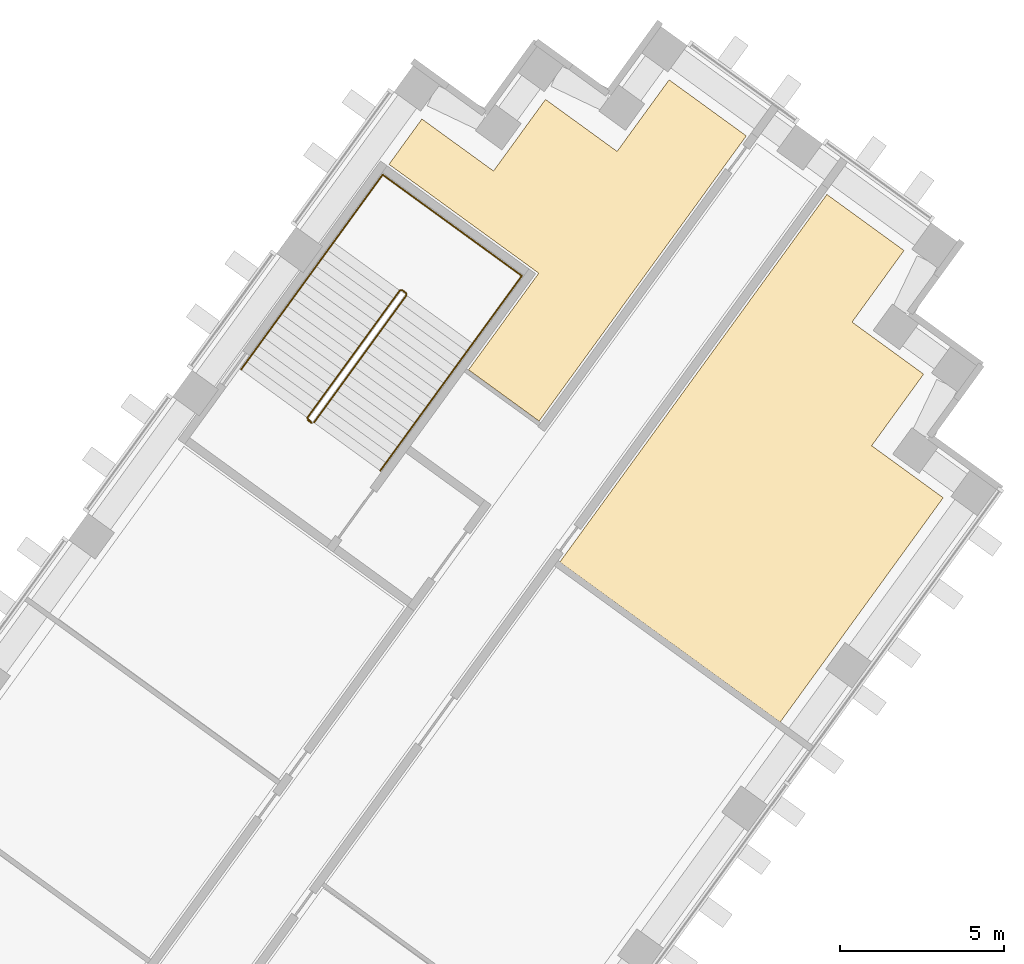
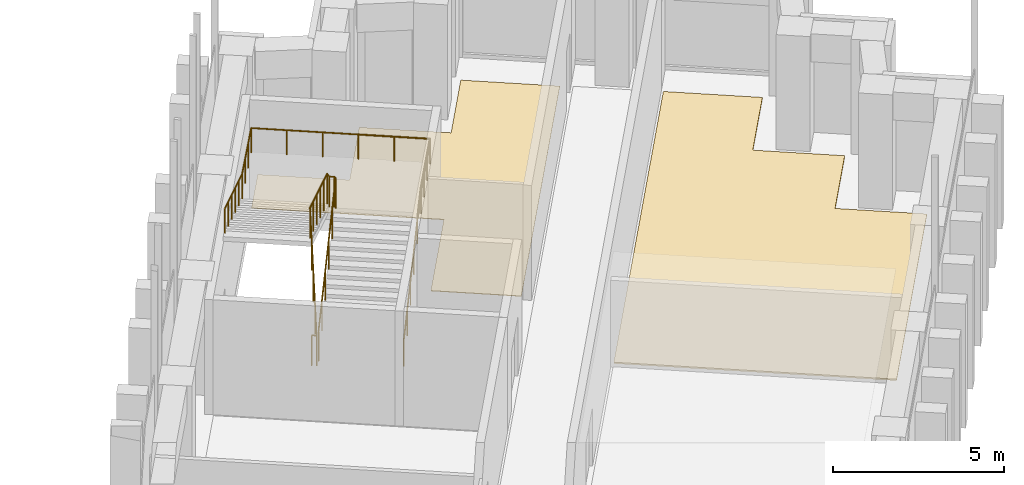
# One storey, part 18 of 18: 2 coverings, 2 railings.
"""IFC4 building model written with IfcOpenShell, lengths in metres."""

from ifc_helpers import new_model, si_unit, direction, frame, origin, origin_2d, place, context, subcontext, project, spatial, polyline, circle, outline, extrude, material, layer, layer_set, type_object, element, save


model = new_model("IFC4")

# Units and contexts
model_context = context("Model", 3, precision=1e-05, world=origin(), true_north=direction((0.0, 1.0)))
body_context = subcontext(model_context, "Body", "Model", "MODEL_VIEW")
ifc_project = project(units=[si_unit("LENGTHUNIT", "METRE"), si_unit("AREAUNIT", "SQUARE_METRE"), si_unit("VOLUMEUNIT", "CUBIC_METRE"), si_unit("PLANEANGLEUNIT", "RADIAN"), si_unit("MASSUNIT", "GRAM", prefix="KILO")], contexts=[model_context])

# Site, building, storey
site_placement = place(None, origin())
site = spatial("IfcSite", under=ifc_project, at=site_placement, CompositionType="ELEMENT")
building_placement = place(site_placement, origin())
building = spatial("IfcBuilding", under=site, at=building_placement, Name="Quipu Civic Tower", CompositionType="ELEMENT")
storey_placement = place(building_placement, frame((0.0, 0.0, 16.0)))
storey = spatial("IfcBuildingStorey", under=building, at=storey_placement, Name="L03", CompositionType="ELEMENT", Elevation=16.0)

# Coverings
ifc_material_1 = material(Name="Carpet tile on raised access floor")
ifc_layer_1 = layer(ifc_material_1, 0.02001953125)
ifc_layer_set_1 = layer_set([ifc_layer_1], Name="Carpet tile on raised access floor")
covering_type_1 = type_object("IfcCoveringType", Name="Carpet tile floor finish 20", PredefinedType="FLOORING", material=ifc_layer_set_1)
covering_1_placement = place(storey_placement, origin())
element("IfcCovering", 1, at=covering_1_placement, inside=storey, type_object=covering_type_1, Name="Carpet tile floor finish 20", PredefinedType="FLOORING", context=body_context, shape_type="SweptSolid", body=[
    extrude(outline(polyline([(36.570068359375, 39.530029296875), (37.574951171875, 40.9130859375), (39.760009765625, 39.326904296875), (41.345947265625, 41.510986328125), (43.530029296875, 39.924072265625), (45.116943359375, 42.10791015625), (47.471923828125, 40.39794921875), (41.15087890625, 31.697021484375), (38.998046875, 33.260009765625), (41.139892578125, 36.208984375), (36.570068359375, 39.530029296875)])), origin(), (0.0, 0.0, 1.0), 0.02001953125),
])
ifc_material_2 = material(Name="Sealed cement screed")
ifc_layer_2 = layer(ifc_material_2, 0.050048828125)
ifc_layer_set_2 = layer_set([ifc_layer_2], Name="Sealed cement screed")
covering_type_2 = type_object("IfcCoveringType", Name="Sealed screed floor finish 50", PredefinedType="FLOORING", material=ifc_layer_set_2)
covering_2_placement = place(storey_placement, origin())
element("IfcCovering", 2, at=covering_2_placement, inside=storey, type_object=covering_type_2, Name="Sealed screed floor finish 50", PredefinedType="FLOORING", context=body_context, shape_type="SweptSolid", body=[
    extrude(outline(polyline([(41.781982421875, 27.39404296875), (49.930908203125, 38.611083984375), (52.284912109375, 36.90087890625), (50.698974609375, 34.717041015625), (52.883056640625, 33.12890625), (51.297119140625, 30.945068359375), (53.47998046875, 29.35791015625), (48.5048828125, 22.510009765625), (41.781982421875, 27.39404296875)])), origin(), (0.0, 0.0, 1.0), 0.050048828125),
])

# Railings
ifc_material_3 = material(Name="Stainless steel", Category="steel")
railing_type_1 = type_object("IfcRailingType", Name="Stair guard 1100", PredefinedType="GUARDRAIL", material=ifc_material_3)
railing_1_placement = place(storey_placement, frame((34.28125, 31.650390625, 0.13232421875)))
element("IfcRailing", 3, at=railing_1_placement, inside=storey, type_object=railing_type_1, Name="Stair 7 guard", PredefinedType="GUARDRAIL", context=body_context, shape_type="SweptSolid", body=[
    extrude(circle(Radius=0.02392578125, at=origin_2d()), frame((0.0, 0.0, 1.076171875), z_axis=(0.537761686143, 0.740190150552, 0.403647011561), x_axis=(-0.809026317077, 0.587772420479, 0.0)), (0.0, 0.0, 1.0), 5.246337890625),
    extrude(circle(Radius=0.02392578125, at=origin_2d()), frame((2.8212890625, 3.88330078125, 3.19384765625), z_axis=(-0.155430446612, 0.987846838465, 0.0), x_axis=(-0.987846838465, -0.155430446612, 0.0)), (0.0, 0.0, 1.0), 0.07080078125),
    extrude(circle(Radius=0.02392578125, at=origin_2d()), frame((2.810302734375, 3.953125, 3.19384765625), z_axis=(-0.809649071907, 0.586914287065, 0.0), x_axis=(-0.586914287065, -0.809649071907, 0.0)), (0.0, 0.0, 1.0), 0.150146484375),
    extrude(circle(Radius=0.02392578125, at=origin_2d()), frame((2.688720703125, 4.041259765625, 3.19384765625), z_axis=(-0.465434601444, -0.07323271701, 0.882047391549), x_axis=(0.155430446612, -0.987846838465, 0.0)), (0.0, 0.0, 1.0), 0.14990234375),
    extrude(circle(Radius=0.02392578125, at=origin_2d()), frame((2.618896484375, 4.0302734375, 3.326171875), z_axis=(-0.537761686143, -0.740190150552, 0.403647011561), x_axis=(0.809026317077, -0.587772420479, 0.0)), (0.0, 0.0, 1.0), 5.246337890625),
    extrude(circle(Radius=0.02392578125, at=origin_2d()), frame((-0.202392578125, 0.14697265625, 5.44384765625), z_axis=(0.029374601348, -0.035065252901, -0.998953232556), x_axis=(0.766567769536, 0.642163417448, 0.0)), (0.0, 0.0, 1.0), 4.504638671875),
    extrude(circle(Radius=0.02392578125, at=origin_2d()), frame((-0.070068359375, -0.010986328125, 0.94384765625), z_axis=(-0.809087927272, 0.587687609145, 0.0), x_axis=(-0.587687609145, -0.809087927272, 0.0)), (0.0, 0.0, 1.0), 0.14990234375),
    extrude(circle(Radius=0.02099609375, at=origin_2d()), origin(), (0.0, 0.0, 1.0), 1.052001953125),
    extrude(circle(Radius=0.02099609375, at=origin_2d()), frame((0.564208984375, 0.776611328125, 0.423583984375)), (0.0, 0.0, 1.0), 1.052001953125),
    extrude(circle(Radius=0.02099609375, at=origin_2d()), frame((1.12841796875, 1.55322265625, 0.84716796875)), (0.0, 0.0, 1.0), 1.052001953125),
    extrude(circle(Radius=0.02099609375, at=origin_2d()), frame((1.69287109375, 2.330078125, 1.2705078125)), (0.0, 0.0, 1.0), 1.052001953125),
    extrude(circle(Radius=0.02099609375, at=origin_2d()), frame((2.257080078125, 3.106689453125, 1.694091796875)), (0.0, 0.0, 1.0), 1.052001953125),
    extrude(circle(Radius=0.02099609375, at=origin_2d()), frame((2.8212890625, 3.88330078125, 2.11767578125)), (0.0, 0.0, 1.0), 1.052001953125),
    extrude(circle(Radius=0.02099609375, at=origin_2d()), frame((2.810302734375, 3.953125, 2.11767578125)), (0.0, 0.0, 1.0), 1.052001953125),
    extrude(circle(Radius=0.02099609375, at=origin_2d()), frame((2.688720703125, 4.041259765625, 2.11767578125)), (0.0, 0.0, 1.0), 1.052001953125),
    extrude(circle(Radius=0.02099609375, at=origin_2d()), frame((2.618896484375, 4.0302734375, 2.25)), (0.0, 0.0, 1.0), 1.052001953125),
    extrude(circle(Radius=0.02099609375, at=origin_2d()), frame((2.0546875, 3.253662109375, 2.673583984375)), (0.0, 0.0, 1.0), 1.052001953125),
    extrude(circle(Radius=0.02099609375, at=origin_2d()), frame((1.490478515625, 2.47705078125, 3.09716796875)), (0.0, 0.0, 1.0), 1.052001953125),
    extrude(circle(Radius=0.02099609375, at=origin_2d()), frame((0.926025390625, 1.7001953125, 3.5205078125)), (0.0, 0.0, 1.0), 1.052001953125),
    extrude(circle(Radius=0.02099609375, at=origin_2d()), frame((0.36181640625, 0.923583984375, 3.944091796875)), (0.0, 0.0, 1.0), 1.052001953125),
    extrude(circle(Radius=0.02099609375, at=origin_2d()), frame((-0.202392578125, 0.14697265625, 4.36767578125)), (0.0, 0.0, 1.0), 1.052001953125),
    extrude(circle(Radius=0.02099609375, at=origin_2d()), frame((-0.16943359375, 0.107421875, 3.24267578125)), (0.0, 0.0, 1.0), 1.052001953125),
    extrude(circle(Radius=0.02099609375, at=origin_2d()), frame((-0.13623046875, 0.06787109375, 2.11767578125)), (0.0, 0.0, 1.0), 1.052001953125),
    extrude(circle(Radius=0.02099609375, at=origin_2d()), frame((-0.10302734375, 0.028564453125, 0.99267578125)), (0.0, 0.0, 1.0), 1.052001953125),
    extrude(circle(Radius=0.02099609375, at=origin_2d()), frame((-0.070068359375, -0.010986328125, -0.13232421875)), (0.0, 0.0, 1.0), 1.052001953125),
    extrude(circle(Radius=0.02099609375, at=origin_2d()), frame((-0.19140625, 0.0771484375, -0.13232421875)), (0.0, 0.0, 1.0), 1.052001953125),
])
ifc_material_4 = material(Name="Stainless steel", Category="steel")
railing_type_2 = type_object("IfcRailingType", Name="Stair handrail", PredefinedType="HANDRAIL", material=ifc_material_4)
railing_2_placement = place(storey_placement, frame((36.3037109375, 30.180908203125, 0.13232421875)))
element("IfcRailing", 4, at=railing_2_placement, inside=storey, type_object=railing_type_2, Name="Stair 7 handrail", PredefinedType="HANDRAIL", context=body_context, shape_type="SweptSolid", body=[
    extrude(circle(Radius=0.02392578125, at=origin_2d()), frame((0.0, 0.0, 0.8759765625), z_axis=(0.537761686143, 0.740190150552, 0.403647011561), x_axis=(-0.809026317077, 0.587772420479, 0.0)), (0.0, 0.0, 1.0), 5.246337890625),
    extrude(circle(Radius=0.02392578125, at=origin_2d()), frame((2.8212890625, 3.88330078125, 2.99365234375), z_axis=(0.587767432704, 0.809029940764, 0.0), x_axis=(-0.809029940764, 0.587767432704, 0.0)), (0.0, 0.0, 1.0), 2.550048828125),
    extrude(circle(Radius=0.02392578125, at=origin_2d()), frame((4.320068359375, 5.9462890625, 2.99365234375), z_axis=(-0.809009483706, 0.587795589702, 0.0), x_axis=(-0.587795589702, -0.809009483706, 0.0)), (0.0, 0.0, 1.0), 5.25),
    extrude(circle(Radius=0.02392578125, at=origin_2d()), frame((0.07275390625, 9.0322265625, 2.99365234375), z_axis=(-0.586977638712, -0.807942832239, 0.051823078707), x_axis=(0.809029940764, -0.587767432704, 0.0)), (0.0, 0.0, 1.0), 2.553466796875),
    extrude(circle(Radius=0.02392578125, at=origin_2d()), frame((-1.426025390625, 6.96923828125, 3.1259765625), z_axis=(-0.537761686143, -0.740190150552, 0.403647011561), x_axis=(0.809026317077, -0.587772420479, 0.0)), (0.0, 0.0, 1.0), 5.246337890625),
    extrude(circle(Radius=0.02099609375, at=origin_2d()), origin(), (0.0, 0.0, 1.0), 0.851806640625),
    extrude(circle(Radius=0.02099609375, at=origin_2d()), frame((0.564208984375, 0.776611328125, 0.423583984375)), (0.0, 0.0, 1.0), 0.851806640625),
    extrude(circle(Radius=0.02099609375, at=origin_2d()), frame((1.12841796875, 1.55322265625, 0.84716796875)), (0.0, 0.0, 1.0), 0.851806640625),
    extrude(circle(Radius=0.02099609375, at=origin_2d()), frame((1.69287109375, 2.330078125, 1.2705078125)), (0.0, 0.0, 1.0), 0.851806640625),
    extrude(circle(Radius=0.02099609375, at=origin_2d()), frame((2.257080078125, 3.106689453125, 1.694091796875)), (0.0, 0.0, 1.0), 0.851806640625),
    extrude(circle(Radius=0.02099609375, at=origin_2d()), frame((2.8212890625, 3.88330078125, 2.11767578125)), (0.0, 0.0, 1.0), 0.851806640625),
    extrude(circle(Radius=0.02099609375, at=origin_2d()), frame((3.32080078125, 4.571044921875, 2.11767578125)), (0.0, 0.0, 1.0), 0.851806640625),
    extrude(circle(Radius=0.02099609375, at=origin_2d()), frame((3.820556640625, 5.258544921875, 2.11767578125)), (0.0, 0.0, 1.0), 0.851806640625),
    extrude(circle(Radius=0.02099609375, at=origin_2d()), frame((4.320068359375, 5.9462890625, 2.11767578125)), (0.0, 0.0, 1.0), 0.851806640625),
    extrude(circle(Radius=0.02099609375, at=origin_2d()), frame((3.470703125, 6.5634765625, 2.11767578125)), (0.0, 0.0, 1.0), 0.851806640625),
    extrude(circle(Radius=0.02099609375, at=origin_2d()), frame((2.62109375, 7.1806640625, 2.11767578125)), (0.0, 0.0, 1.0), 0.851806640625),
    extrude(circle(Radius=0.02099609375, at=origin_2d()), frame((1.771728515625, 7.7978515625, 2.11767578125)), (0.0, 0.0, 1.0), 0.851806640625),
    extrude(circle(Radius=0.02099609375, at=origin_2d()), frame((0.922119140625, 8.4150390625, 2.11767578125)), (0.0, 0.0, 1.0), 0.851806640625),
    extrude(circle(Radius=0.02099609375, at=origin_2d()), frame((0.07275390625, 9.0322265625, 2.11767578125)), (0.0, 0.0, 1.0), 0.851806640625),
    extrude(circle(Radius=0.02099609375, at=origin_2d()), frame((-0.4267578125, 8.344482421875, 2.161865234375)), (0.0, 0.0, 1.0), 0.851806640625),
    extrude(circle(Radius=0.02099609375, at=origin_2d()), frame((-0.926513671875, 7.656982421875, 2.205810546875)), (0.0, 0.0, 1.0), 0.851806640625),
    extrude(circle(Radius=0.02099609375, at=origin_2d()), frame((-1.426025390625, 6.96923828125, 2.25)), (0.0, 0.0, 1.0), 0.851806640625),
    extrude(circle(Radius=0.02099609375, at=origin_2d()), frame((-1.990234375, 6.192626953125, 2.673583984375)), (0.0, 0.0, 1.0), 0.851806640625),
    extrude(circle(Radius=0.02099609375, at=origin_2d()), frame((-2.554443359375, 5.416015625, 3.09716796875)), (0.0, 0.0, 1.0), 0.851806640625),
    extrude(circle(Radius=0.02099609375, at=origin_2d()), frame((-3.118896484375, 4.63916015625, 3.5205078125)), (0.0, 0.0, 1.0), 0.851806640625),
    extrude(circle(Radius=0.02099609375, at=origin_2d()), frame((-3.68310546875, 3.862548828125, 3.944091796875)), (0.0, 0.0, 1.0), 0.851806640625),
    extrude(circle(Radius=0.02099609375, at=origin_2d()), frame((-4.247314453125, 3.0859375, 4.36767578125)), (0.0, 0.0, 1.0), 0.851806640625),
])

save(model, "model.ifc")
